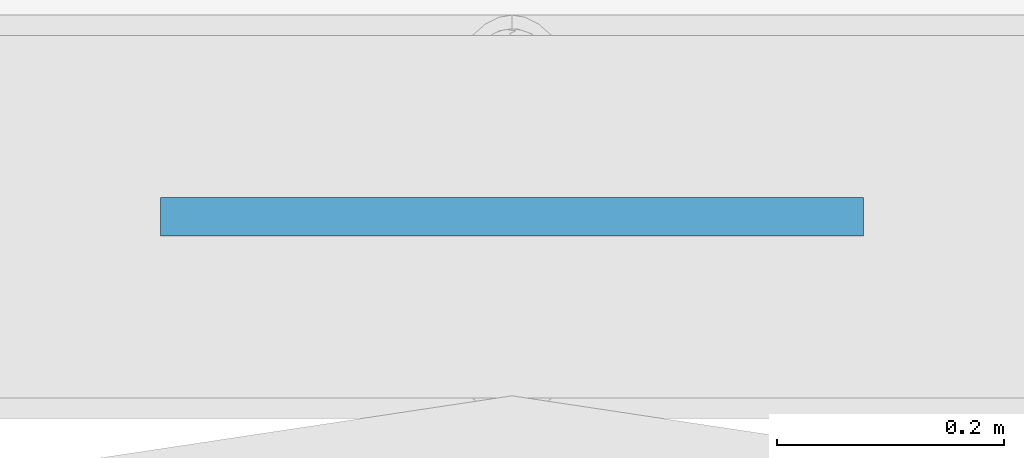
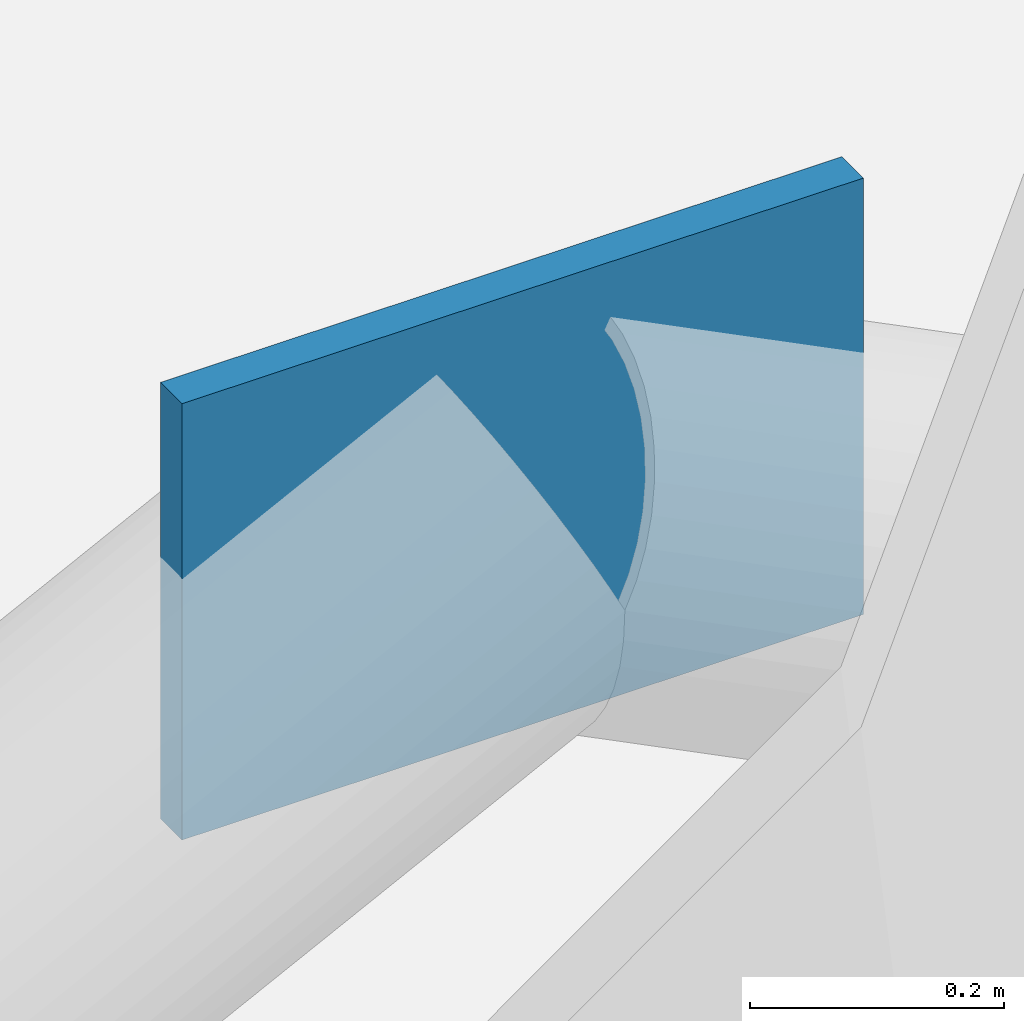
# One storey, part 35 of 83: 1 plate.
"""IFC4 building model written with IfcOpenShell, lengths in metres."""

from ifc_helpers import new_model, si_unit, derived_unit, direction, frame, origin, origin_2d, place, context, subcontext, project, spatial, rectangle, extrude, material, layer, layer_set, type_object, element, save


model = new_model("IFC4")

# Units and contexts
model_context = context("Model", 3, precision=1e-05, world=origin(), true_north=direction((0.0, 1.0)))
body_context = subcontext(model_context, "Body", "Model", "MODEL_VIEW")
ifc_project = project(units=[si_unit("LENGTHUNIT", "METRE"), si_unit("AREAUNIT", "SQUARE_METRE"), si_unit("VOLUMEUNIT", "CUBIC_METRE"), si_unit("PLANEANGLEUNIT", "RADIAN"), si_unit("MASSUNIT", "GRAM", prefix="KILO"), si_unit("THERMODYNAMICTEMPERATUREUNIT", "KELVIN"), derived_unit("THERMALTRANSMITTANCEUNIT", [(si_unit("POWERUNIT", "WATT"), 1), (si_unit("AREAUNIT", "SQUARE_METRE"), -1), (si_unit("THERMODYNAMICTEMPERATUREUNIT", "KELVIN"), -1)])], contexts=[model_context])

# Site, building, storey
site_placement = place(None, origin())
site = spatial("IfcSite", under=ifc_project, at=site_placement, CompositionType="ELEMENT")
building_placement = place(site_placement, origin())
building = spatial("IfcBuilding", under=site, at=building_placement, Name="Haiyu Intermodal Mobility Hub", CompositionType="ELEMENT")
storey_placement = place(building_placement, frame((0.0, 0.0, 13.39990234375)))
storey = spatial("IfcBuildingStorey", under=building, at=storey_placement, Name="L03", CompositionType="ELEMENT", Elevation=13.39990234375)

# Plate
ifc_material = material(Name="Steel Q355C", Category="steel")
ifc_layer = layer(ifc_material, 0.033935546875)
ifc_layer_set = layer_set([ifc_layer], Name="Steel Q355C")
plate_type = type_object("IfcPlateType", Name="PLT-GP04", PredefinedType="USERDEFINED", material=ifc_layer_set)
plate_placement = place(storey_placement, frame((102.0, 104.0, 2.7900390625), z_axis=(0.0, 0.0, 1.0), x_axis=(1.0, 0.0, 0.0)))
element("IfcPlate", 1, at=plate_placement, inside=storey, type_object=plate_type, Name="Chevron Brace Apex Gusset GP-B101", ObjectType="GUSSET PLATE", PredefinedType="USERDEFINED", context=body_context, shape_type="SweptSolid", body=[
    extrude(rectangle(XDim=0.6201171875, YDim=0.033935546875, at=origin_2d()), origin(), (0.0, 0.0, 1.0), 0.419921875),
])

save(model, "model.ifc")
